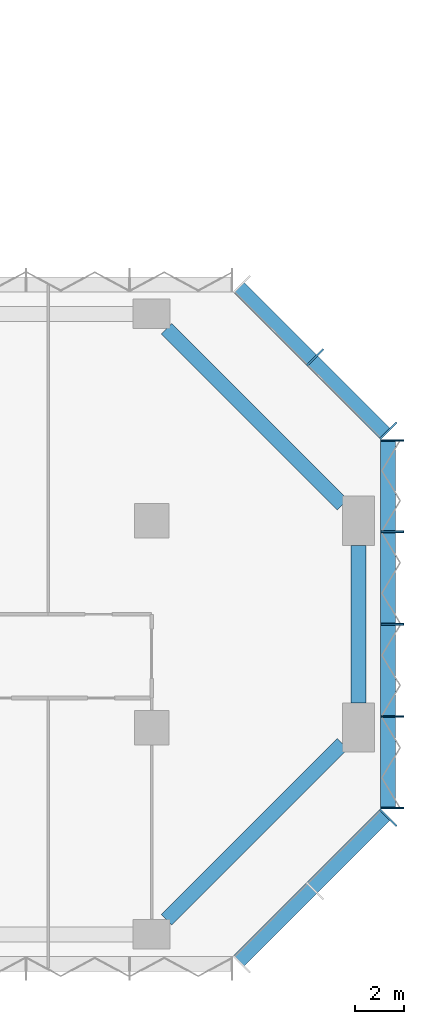
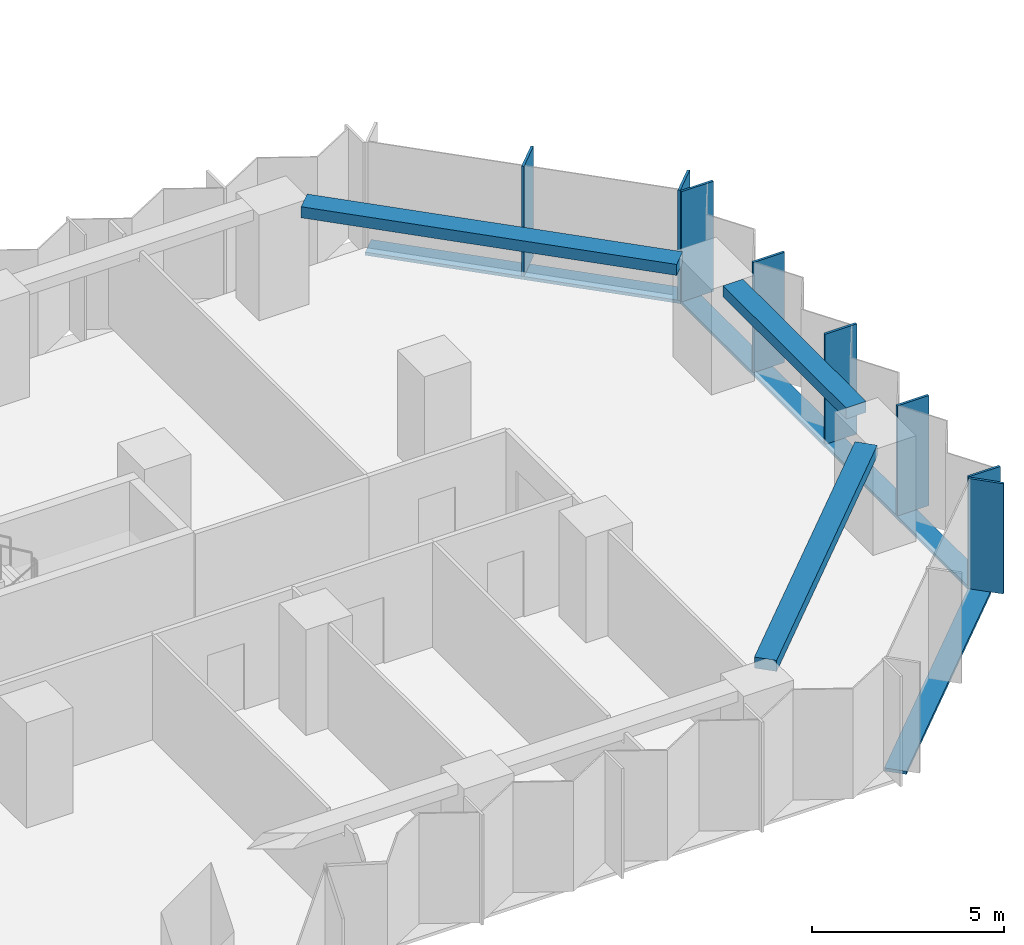
# One storey, part 4 of 15: 11 members, 3 beams, 3 elements without a shape of their own.
"""IFC4 building model written with IfcOpenShell, lengths in metres."""

from ifc_helpers import new_model, si_unit, direction, frame, origin, origin_2d, place, context, subcontext, project, spatial, rectangle, extrude, material, material_profile, profile_set, type_object, element, aggregate, save


model = new_model("IFC4")

# Units and contexts
model_context = context("Model", 3, precision=1e-05, world=origin(), true_north=direction((0.0, 1.0)))
body_context = subcontext(model_context, "Body", "Model", "MODEL_VIEW")
ifc_project = project(units=[si_unit("LENGTHUNIT", "METRE"), si_unit("AREAUNIT", "SQUARE_METRE"), si_unit("VOLUMEUNIT", "CUBIC_METRE"), si_unit("PLANEANGLEUNIT", "RADIAN"), si_unit("MASSUNIT", "GRAM", prefix="KILO")], contexts=[model_context])

# Site, building, storey
site_placement = place(None, origin())
site = spatial("IfcSite", under=ifc_project, at=site_placement, CompositionType="ELEMENT")
building_placement = place(site_placement, origin())
building = spatial("IfcBuilding", under=site, at=building_placement, Name="Brevane Broadcast Tower", CompositionType="ELEMENT")
storey_placement = place(building_placement, frame((0.0, 0.0, 79.699951171875)))
storey = spatial("IfcBuildingStorey", under=building, at=storey_placement, Name="L18", CompositionType="ELEMENT", Elevation=79.699951171875)

# Curtain wall, member
ifc_material_1 = material(Name="Aluminium 6063-T6 bronze anodised", Category="aluminium")
curtain_wall_type = type_object("IfcCurtainWallType", Name="CW-1 curtain wall", PredefinedType="NOTDEFINED", material=ifc_material_1)
curtain_wall_1_placement = place(storey_placement, origin())
curtain_wall_1 = element("IfcCurtainWall", 1, at=curtain_wall_1_placement, inside=storey, type_object=curtain_wall_type, Name="CW-1 typical tilted unit L18 south-east chamfer", PredefinedType="NOTDEFINED")
ifc_material_profile_1 = material_profile(ifc_material_1, rectangle(XDim=0.949951171875, YDim=0.070068359375, at=origin_2d()), Name="RECT 70x950")
ifc_profile_set_1 = profile_set([ifc_material_profile_1], Name="Aluminium 6063-T6 bronze anodised")
member_type_1 = type_object("IfcMemberType", Name="CW-1 mullion 70x950", PredefinedType="MULLION", material=ifc_profile_set_1)
member_1_placement = place(storey_placement, frame((68.4111328125, 4.7392578125, -0.14990234375), z_axis=(0.0, 0.0, 1.0), x_axis=(-0.707106781187, 0.707106781187, 0.0)))
member_1 = element("IfcMember", 2, at=member_1_placement, type_object=member_type_1, Name="CW-1 mullion", PredefinedType="MULLION", context=body_context, shape_type="SweptSolid", body=[
    extrude(rectangle(XDim=0.949951171875, YDim=0.070068359375, at=origin_2d()), origin(), (0.0, 0.0, 1.0), 3.5),
])

# Curtain wall, members
curtain_wall_2_placement = place(storey_placement, origin())
curtain_wall_2 = element("IfcCurtainWall", 3, at=curtain_wall_2_placement, inside=storey, type_object=curtain_wall_type, Name="CW-1 typical tilted unit L18 east end", PredefinedType="NOTDEFINED")
member_2_placement = place(storey_placement, frame((68.574951171875, 5.135009765625, -0.14990234375), z_axis=(0.0, 0.0, 1.0), x_axis=(-1.0, 0.0, 0.0)))
member_2 = element("IfcMember", 4, at=member_2_placement, type_object=member_type_1, Name="CW-1 mullion", PredefinedType="MULLION", context=body_context, shape_type="SweptSolid", body=[
    extrude(rectangle(XDim=0.949951171875, YDim=0.070068359375, at=origin_2d()), origin(), (0.0, 0.0, 1.0), 3.5),
])
member_3_placement = place(storey_placement, frame((68.574951171875, 8.85009765625, -0.14990234375), z_axis=(0.0, 0.0, 1.0), x_axis=(-1.0, 0.0, 0.0)))
member_3 = element("IfcMember", 5, at=member_3_placement, type_object=member_type_1, Name="CW-1 mullion", PredefinedType="MULLION", context=body_context, shape_type="SweptSolid", body=[
    extrude(rectangle(XDim=0.949951171875, YDim=0.070068359375, at=origin_2d()), origin(), (0.0, 0.0, 1.0), 3.5),
])
member_4_placement = place(storey_placement, frame((68.574951171875, 12.60009765625, -0.14990234375), z_axis=(0.0, 0.0, 1.0), x_axis=(-1.0, 0.0, 0.0)))
member_4 = element("IfcMember", 6, at=member_4_placement, type_object=member_type_1, Name="CW-1 mullion", PredefinedType="MULLION", context=body_context, shape_type="SweptSolid", body=[
    extrude(rectangle(XDim=0.949951171875, YDim=0.070068359375, at=origin_2d()), origin(), (0.0, 0.0, 1.0), 3.5),
])
member_5_placement = place(storey_placement, frame((68.574951171875, 16.35009765625, -0.14990234375), z_axis=(0.0, 0.0, 1.0), x_axis=(-1.0, 0.0, 0.0)))
member_5 = element("IfcMember", 7, at=member_5_placement, type_object=member_type_1, Name="CW-1 mullion", PredefinedType="MULLION", context=body_context, shape_type="SweptSolid", body=[
    extrude(rectangle(XDim=0.949951171875, YDim=0.070068359375, at=origin_2d()), origin(), (0.0, 0.0, 1.0), 3.5),
])
member_6_placement = place(storey_placement, frame((68.574951171875, 20.06494140625, -0.14990234375), z_axis=(0.0, 0.0, 1.0), x_axis=(-1.0, 0.0, 0.0)))
member_6 = element("IfcMember", 8, at=member_6_placement, type_object=member_type_1, Name="CW-1 mullion", PredefinedType="MULLION", context=body_context, shape_type="SweptSolid", body=[
    extrude(rectangle(XDim=0.949951171875, YDim=0.070068359375, at=origin_2d()), origin(), (0.0, 0.0, 1.0), 3.5),
])

curtain_wall_3_placement = place(storey_placement, origin())
curtain_wall_3 = element("IfcCurtainWall", 9, at=curtain_wall_3_placement, inside=storey, type_object=curtain_wall_type, Name="CW-1 typical tilted unit L18 north-east chamfer", PredefinedType="NOTDEFINED")
member_7_placement = place(storey_placement, frame((68.4111328125, 20.460693359375, -0.14990234375), z_axis=(0.0, 0.0, 1.0), x_axis=(-0.707106781187, -0.707106781187, 0.0)))
member_7 = element("IfcMember", 10, at=member_7_placement, type_object=member_type_1, Name="CW-1 mullion", PredefinedType="MULLION", context=body_context, shape_type="SweptSolid", body=[
    extrude(rectangle(XDim=0.949951171875, YDim=0.070068359375, at=origin_2d()), origin(), (0.0, 0.0, 1.0), 3.5),
])
member_8_placement = place(storey_placement, frame((65.435791015625, 23.435791015625, -0.14990234375), z_axis=(0.0, 0.0, 1.0), x_axis=(-0.707106781187, -0.707106781187, 0.0)))
member_8 = element("IfcMember", 11, at=member_8_placement, type_object=member_type_1, Name="CW-1 mullion", PredefinedType="MULLION", context=body_context, shape_type="SweptSolid", body=[
    extrude(rectangle(XDim=0.949951171875, YDim=0.070068359375, at=origin_2d()), origin(), (0.0, 0.0, 1.0), 3.5),
])

# Member
ifc_material_profile_2 = material_profile(ifc_material_1, rectangle(XDim=0.60009765625, YDim=0.10009765625, at=origin_2d()), Name="RECT 100x600")
ifc_profile_set_2 = profile_set([ifc_material_profile_2], Name="Aluminium 6063-T6 bronze anodised")
member_type_2 = type_object("IfcMemberType", Name="CW-1 transom 100x600", PredefinedType="USERDEFINED", material=ifc_profile_set_2)
member_9_placement = place(storey_placement, frame((62.31201171875, -1.112060546875, -0.199951171875), z_axis=(0.707106781187, 0.707106781187, 0.0), x_axis=(-0.707106781187, 0.707106781187, 0.0)))
member_9 = element("IfcMember", 12, at=member_9_placement, type_object=member_type_2, Name="CW-1 transom", ObjectType="TRANSOM", PredefinedType="USERDEFINED", context=body_context, shape_type="SweptSolid", body=[
    extrude(rectangle(XDim=0.60009765625, YDim=0.10009765625, at=origin_2d()), origin(), (0.0, 0.0, 1.0), 8.4853515625),
])

aggregate(curtain_wall_1, [member_1, member_9])

member_10_placement = place(storey_placement, frame((68.39990234375, 5.10009765625, -0.199951171875), z_axis=(0.0, 1.0, 0.0), x_axis=(-1.0, 0.0, 0.0)))
member_10 = element("IfcMember", 13, at=member_10_placement, type_object=member_type_2, Name="CW-1 transom", ObjectType="TRANSOM", PredefinedType="USERDEFINED", context=body_context, shape_type="SweptSolid", body=[
    extrude(rectangle(XDim=0.60009765625, YDim=0.10009765625, at=origin_2d()), origin(), (0.0, 0.0, 1.0), 15.0),
])

aggregate(curtain_wall_2, [member_2, member_3, member_4, member_5, member_6, member_10])

member_11_placement = place(storey_placement, frame((68.31201171875, 20.31201171875, -0.199951171875), z_axis=(-0.707106781187, 0.707106781187, 0.0), x_axis=(-0.707106781187, -0.707106781187, 0.0)))
member_11 = element("IfcMember", 14, at=member_11_placement, type_object=member_type_2, Name="CW-1 transom", ObjectType="TRANSOM", PredefinedType="USERDEFINED", context=body_context, shape_type="SweptSolid", body=[
    extrude(rectangle(XDim=0.60009765625, YDim=0.10009765625, at=origin_2d()), origin(), (0.0, 0.0, 1.0), 8.4853515625),
])

aggregate(curtain_wall_3, [member_7, member_8, member_11])

# Beams
ifc_material_2 = material(Name="Concrete C40/50", Category="concrete")
ifc_material_profile_3 = material_profile(ifc_material_2, rectangle(XDim=0.60009765625, YDim=0.35009765625, at=origin_2d()), Name="RC 600x350")
ifc_profile_set_3 = profile_set([ifc_material_profile_3], Name="Concrete C40/50")
beam_type = type_object("IfcBeamType", Name="RC SPANDREL BEAM 600x350 C40/50", PredefinedType="SPANDREL", material=ifc_profile_set_3)
beam_1_placement = place(storey_placement, frame((59.39990234375, 0.60009765625, 3.175048828125), z_axis=(0.707118853314, 0.707094708853, 0.0), x_axis=(-0.707094708853, 0.707118853314, 0.0)))
element("IfcBeam", 15, at=beam_1_placement, inside=storey, type_object=beam_type, Name="EB1 L18-5", PredefinedType="SPANDREL", context=body_context, shape_type="SweptSolid", body=[
    extrude(rectangle(XDim=0.60009765625, YDim=0.35009765625, at=origin_2d()), origin(), (0.0, 0.0, 1.0), 10.111572265625),
])
beam_2_placement = place(storey_placement, frame((67.199951171875, 9.39990234375, 3.175048828125), z_axis=(0.0, 1.0, 0.0), x_axis=(-1.0, 0.0, 0.0)))
element("IfcBeam", 16, at=beam_2_placement, inside=storey, type_object=beam_type, Name="EB1 L18-6", PredefinedType="SPANDREL", context=body_context, shape_type="SweptSolid", body=[
    extrude(rectangle(XDim=0.60009765625, YDim=0.35009765625, at=origin_2d()), origin(), (0.0, 0.0, 1.0), 6.400146484375),
])
beam_3_placement = place(storey_placement, frame((66.550048828125, 17.449951171875, 3.175048828125), z_axis=(-0.707106781187, 0.707106781187, 0.0), x_axis=(-0.707106781187, -0.707106781187, 0.0)))
element("IfcBeam", 17, at=beam_3_placement, inside=storey, type_object=beam_type, Name="EB1 L18-7", PredefinedType="SPANDREL", context=body_context, shape_type="SweptSolid", body=[
    extrude(rectangle(XDim=0.60009765625, YDim=0.35009765625, at=origin_2d()), origin(), (0.0, 0.0, 1.0), 10.11181640625),
])

save(model, "model.ifc")
